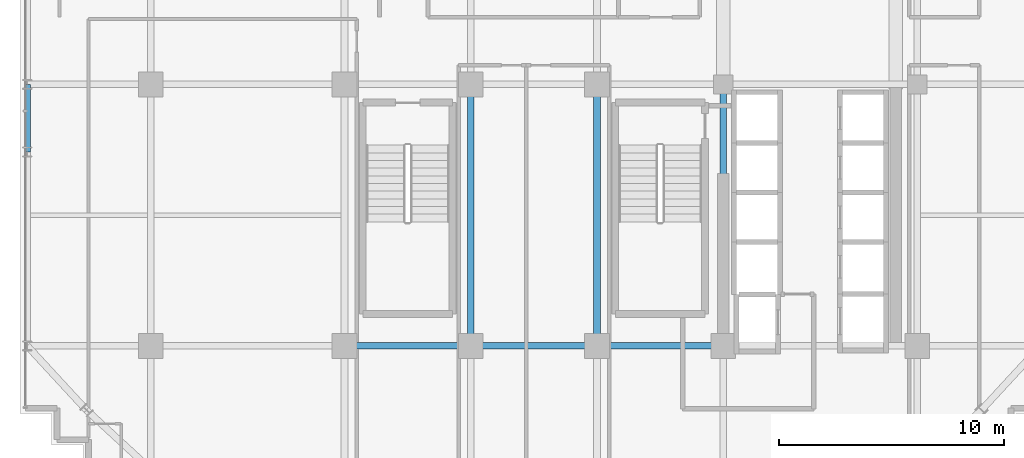
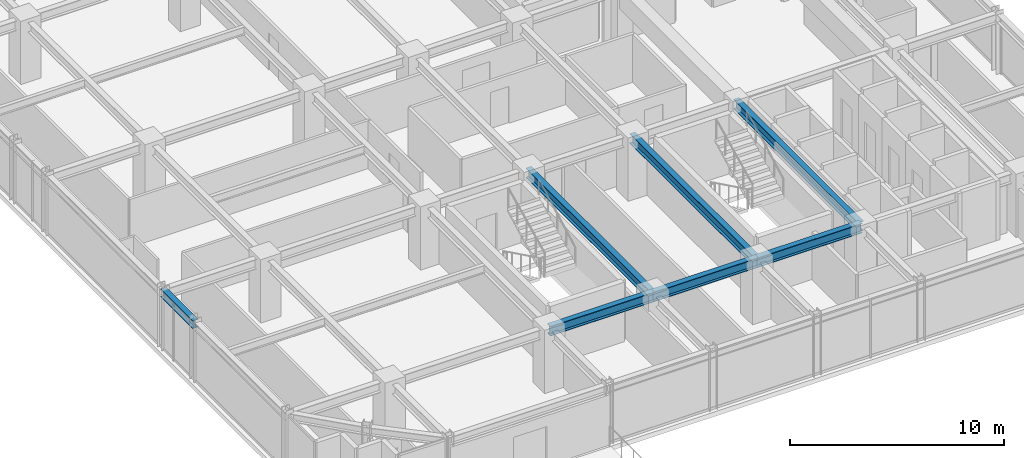
# One storey, part 6 of 31: 7 beams.
"""IFC4 building model written with IfcOpenShell, lengths in metres."""

import ifcopenshell
import ifcopenshell.guid

model = None  # the IFC model being written
_history = None  # IfcOwnerHistory: only IFC2X3 demands one
_inside = {}  # id of a spatial element -> (the spatial element, [elements in it])
_under = {}  # id of a project, library or spatial element -> (it, [spatial elements below it])
_declared = {}  # id of a project -> (the project, [libraries it declares])
_typed = {}  # id of a type object -> (the type object, [elements of that type])
_made_of = {}  # id of a material, layer set ... -> (it, [elements and type objects made of it])


def new_model(schema):
    """Start an empty IFC model of exactly this schema.

    Asked for "IFC4X3", IfcOpenShell would pick the latest addendum, in which some entities
    have other attributes; the version numbers below select the first issue.
    IFC2X3 requires an IfcOwnerHistory on every rooted entity: one is made here for all.
    """
    global model, _history
    if schema == "IFC4X3":
        model = ifcopenshell.file(schema_version=(4, 3, 0, 0))
    else:
        model = ifcopenshell.file(schema=schema)
    _inside.clear()
    _under.clear()
    _declared.clear()
    _typed.clear()
    _made_of.clear()
    _history = None
    if model.schema == "IFC2X3":
        org = make("IfcOrganization", Name="unknown")
        user = make(
            "IfcPersonAndOrganization",
            ThePerson=make("IfcPerson", FamilyName="unknown"),
            TheOrganization=org,
        )
        app = make(
            "IfcApplication",
            ApplicationDeveloper=org,
            Version="unknown",
            ApplicationFullName="unknown",
            ApplicationIdentifier="unknown",
        )
        _history = make(
            "IfcOwnerHistory",
            OwningUser=user,
            OwningApplication=app,
            ChangeAction="ADDED",
            CreationDate=0,
        )
    return model


def make(cls, **values):
    """One entity of the class cls with the attributes given. An attribute that is None is left unset."""
    return model.create_entity(
        cls, **{name: value for name, value in values.items() if value is not None}
    )


def rooted(cls, **values):
    """An entity with a GlobalId (a new one), such as an element, a storey or a relation."""
    return make(cls, GlobalId=ifcopenshell.guid.new(), OwnerHistory=_history, **values)


def si_unit(unit_type, name, prefix=None):
    """IfcSIUnit, for example si_unit("LENGTHUNIT", "METRE", prefix="MILLI")."""
    return make("IfcSIUnit", UnitType=unit_type, Prefix=prefix, Name=name)


def assignment(units):
    """IfcUnitAssignment: the units of a project."""
    return None if units is None else make("IfcUnitAssignment", Units=units)


def point(xyz):
    """IfcCartesianPoint."""
    return None if xyz is None else make("IfcCartesianPoint", Coordinates=xyz)


def direction(xyz):
    """IfcDirection."""
    return None if xyz is None else make("IfcDirection", DirectionRatios=xyz)


def frame(location, z_axis=None, x_axis=None):
    """IfcAxis2Placement3D, a coordinate frame: its origin and axes. An axis left out is left unset."""
    return make(
        "IfcAxis2Placement3D",
        Location=point(location),
        Axis=direction(z_axis),
        RefDirection=direction(x_axis),
    )


def frame_2d(location, x_axis=None):
    """IfcAxis2Placement2D, a coordinate frame in the plane: its origin and x axis."""
    return make(
        "IfcAxis2Placement2D", Location=point(location), RefDirection=direction(x_axis)
    )


def origin():
    """The frame at (0, 0, 0) with its axes left unset."""
    return frame((0.0, 0.0, 0.0))


def origin_2d():
    """The frame at (0, 0) in the plane with its x axis left unset."""
    return frame_2d((0.0, 0.0))


def place(relative_to, where):
    """IfcLocalPlacement: puts the frame where relative to a parent placement (None: the world)."""
    return make(
        "IfcLocalPlacement", PlacementRelTo=relative_to, RelativePlacement=where
    )


def context(
    kind, dimensions, precision=None, world=None, true_north=None, identifier=None
):
    """IfcGeometricRepresentationContext, for example the 3D "Model" context."""
    return make(
        "IfcGeometricRepresentationContext",
        ContextIdentifier=identifier,
        ContextType=kind,
        CoordinateSpaceDimension=dimensions,
        Precision=precision,
        WorldCoordinateSystem=world,
        TrueNorth=true_north,
    )


def subcontext(parent, identifier, kind, view, scale=None):
    """IfcGeometricRepresentationSubContext, for example "Body" below "Model"."""
    return make(
        "IfcGeometricRepresentationSubContext",
        ContextIdentifier=identifier,
        ContextType=kind,
        ParentContext=parent,
        TargetScale=scale,
        TargetView=view,
    )


def project(units=None, contexts=None):
    """IfcProject with its units and contexts."""
    return rooted(
        "IfcProject",
        Name="project",
        RepresentationContexts=contexts,
        UnitsInContext=assignment(units),
    )


def spatial(cls, under=None, at=None, **own):
    """A site, building, storey or space (cls), placed at a placement, below another one or the project."""
    s = rooted(cls, ObjectPlacement=at, **own)
    if under is not None:
        _under.setdefault(under.id(), (under, []))[1].append(s)
    return s


def profile(cls, at=None, kind="AREA", **sizes):
    """A parametric profile (cls). Its sizes go by their IFC names, for example OverallWidth=200.0."""
    return make(cls, ProfileType=kind, Position=at, **sizes)


def i_section(**sizes):
    """IfcIShapeProfileDef."""
    return profile("IfcIShapeProfileDef", **sizes)


def extrude(swept, where, along, depth):
    """IfcExtrudedAreaSolid: the profile swept, set in the frame where, extruded along a direction by depth."""
    return make(
        "IfcExtrudedAreaSolid",
        SweptArea=swept,
        Position=where,
        ExtrudedDirection=direction(along),
        Depth=depth,
    )


def shape(context_of_items, identifier, shape_type, items):
    """IfcShapeRepresentation: the items that make up one representation, for example the "Body"."""
    return make(
        "IfcShapeRepresentation",
        ContextOfItems=context_of_items,
        RepresentationIdentifier=identifier,
        RepresentationType=shape_type,
        Items=items,
    )


def source(mapping_origin, context_of_items, identifier, shape_type, items):
    """IfcRepresentationMap: a shape defined once, which mapped items show again and again."""
    return make(
        "IfcRepresentationMap",
        MappingOrigin=mapping_origin,
        MappedRepresentation=shape(context_of_items, identifier, shape_type, items),
    )


def transform(
    local_origin,
    x_axis=None,
    y_axis=None,
    z_axis=None,
    scale=None,
    scale2=None,
    scale3=None,
    uniform=True,
):
    """IfcCartesianTransformationOperator3D, or its non-uniform kind. x_axis, y_axis, z_axis: its Axis1, 2, 3."""
    if uniform:
        return make(
            "IfcCartesianTransformationOperator3D",
            Axis1=direction(x_axis),
            Axis2=direction(y_axis),
            LocalOrigin=point(local_origin),
            Scale=scale,
            Axis3=direction(z_axis),
        )
    return make(
        "IfcCartesianTransformationOperator3DnonUniform",
        Axis1=direction(x_axis),
        Axis2=direction(y_axis),
        LocalOrigin=point(local_origin),
        Scale=scale,
        Axis3=direction(z_axis),
        Scale2=scale2,
        Scale3=scale3,
    )


def mapped(mapping_source, mapping_target):
    """IfcMappedItem: shows the shape of a source again, moved by a transform."""
    return make(
        "IfcMappedItem", MappingSource=mapping_source, MappingTarget=mapping_target
    )


def material(Name=None, Category=None):
    """IfcMaterial."""
    return make("IfcMaterial", Name=Name, Category=Category)


def material_profile(
    of_material, cross_section, Name=None, Category=None, Priority=None
):
    """IfcMaterialProfile: a cross section and its material."""
    return make(
        "IfcMaterialProfile",
        Name=Name,
        Material=of_material,
        Profile=cross_section,
        Priority=Priority,
        Category=Category,
    )


def profile_set(profiles, Name=None, composite=None):
    """IfcMaterialProfileSet."""
    return make(
        "IfcMaterialProfileSet",
        Name=Name,
        MaterialProfiles=profiles,
        CompositeProfile=composite,
    )


def made_of(thing, what):
    """Note that an element or type object is made of a material, layer set ...; save() writes the relation."""
    if what is not None:
        _made_of.setdefault(what.id(), (what, []))[1].append(thing)
    return thing


def type_object(cls, material=None, **own):
    """A type object (cls), such as IfcWallType, which elements share."""
    return made_of(rooted(cls, **own), material)


def element(
    cls,
    number,
    at=None,
    inside=None,
    cuts=None,
    type_object=None,
    material=None,
    context=None,
    identifier="Body",
    shape_type=None,
    held_by="IfcProductDefinitionShape",
    body=None,
    shapes=None,
    **own,
):
    """One element of the class cls, such as IfcWall. Its Tag is "e" and its number.

    at: its placement. inside: the storey or other place that contains it. cuts: it is an
    opening in that element (IfcRelVoidsElement). A single representation is given by context,
    identifier, shape_type and body (its items); several are given by shapes. held_by: the class
    of the entity that holds the representations. save() writes the other relations.
    """
    e = rooted(cls, Tag="e%d" % number, ObjectPlacement=at, **own)
    if body is not None:
        shapes = [shape(context, identifier, shape_type, body)]
    if shapes is not None:
        e.Representation = make(held_by, Representations=shapes)
    if inside is not None:
        _inside.setdefault(inside.id(), (inside, []))[1].append(e)
    if cuts is not None:
        rooted(
            "IfcRelVoidsElement", RelatingBuildingElement=cuts, RelatedOpeningElement=e
        )
    if type_object is not None:
        _typed.setdefault(type_object.id(), (type_object, []))[1].append(e)
    return made_of(e, material)


def aggregate(whole, parts):
    """IfcRelAggregates: a whole, such as a stair, and the parts it consists of."""
    return rooted("IfcRelAggregates", RelatingObject=whole, RelatedObjects=parts)


def save(model, path):
    """Write the relations noted so far, then the file.

    IfcRelAggregates (storeys below a building ...), IfcRelContainedInSpatialStructure (elements
    in a storey), IfcRelDefinesByType, IfcRelAssociatesMaterial and IfcRelDeclares: one each for
    every whole, place, type object, material and project.
    """
    for whole, parts in _under.values():
        aggregate(whole, parts)
    for where, things in _inside.values():
        rooted(
            "IfcRelContainedInSpatialStructure",
            RelatedElements=things,
            RelatingStructure=where,
        )
    for kind, things in _typed.values():
        rooted("IfcRelDefinesByType", RelatedObjects=things, RelatingType=kind)
    for what, things in _made_of.values():
        rooted("IfcRelAssociatesMaterial", RelatedObjects=things, RelatingMaterial=what)
    for by, libraries in _declared.values():
        rooted("IfcRelDeclares", RelatingContext=by, RelatedDefinitions=libraries)
    model.write(path)


model = new_model("IFC4")

# Units and contexts
model_context = context("Model", 3, precision=1e-05, world=origin(), true_north=direction((0.0, 1.0)))
body_context = subcontext(model_context, "Body", "Model", "MODEL_VIEW")
ifc_project = project(units=[si_unit("LENGTHUNIT", "METRE"), si_unit("AREAUNIT", "SQUARE_METRE"), si_unit("VOLUMEUNIT", "CUBIC_METRE"), si_unit("PLANEANGLEUNIT", "RADIAN"), si_unit("MASSUNIT", "GRAM", prefix="KILO")], contexts=[model_context])

# Site, building, storey
site_placement = place(None, origin())
site = spatial("IfcSite", under=ifc_project, at=site_placement, CompositionType="ELEMENT")
building_placement = place(site_placement, origin())
building = spatial("IfcBuilding", under=site, at=building_placement, Name="Nahalor Promenade Grand Hotel", CompositionType="ELEMENT")
storey_placement = place(building_placement, frame((0.0, 0.0, 192.800048828125)))
storey = spatial("IfcBuildingStorey", under=building, at=storey_placement, Name="L49", CompositionType="ELEMENT", Elevation=192.800048828125)

# Beams
ifc_material = material(Name="Steel S355JR", Category="steel")
ifc_material_profile_1 = material_profile(ifc_material, i_section(OverallWidth=0.3, OverallDepth=0.55, WebThickness=0.015, FlangeThickness=0.029, at=origin_2d()), Name="HEB 550")
ifc_profile_set_1 = profile_set([ifc_material_profile_1], Name="Steel S355JR")
beam_type_1 = type_object("IfcBeamType", Name="Beam-Girder-HEB550", PredefinedType="BEAM", material=ifc_profile_set_1)
shared_shape_1 = source(origin(), body_context, "Body", "SweptSolid", [
    extrude(i_section(OverallWidth=0.3, OverallDepth=0.55, WebThickness=0.015, FlangeThickness=0.029, at=origin_2d()), origin(), (0.0, 0.0, 1.0), 5.599853515625),
])
for number, where, z_axis, x_axis, name in (
    (1, (-8.39990234375, -17.0, 3.114990234375), (1.0, 0.0, 0.0), (0.0, 1.0, 0.0), "BM-L49-GX-0-2"),
    (2, (2.800048828125, -17.0, 3.114990234375), (1.0, 0.0, 0.0), (0.0, 1.0, 0.0), "BM-L49-GX-0-4"),
):
    element("IfcBeam", number, at=place(storey_placement, frame(where, z_axis=z_axis, x_axis=x_axis)), inside=storey, type_object=beam_type_1, Name=name, PredefinedType="BEAM", context=body_context, shape_type="MappedRepresentation", body=[
        mapped(shared_shape_1, transform((0.0, 0.0, 0.0), scale=1.0)),
    ])
shared_shape_2 = source(origin(), body_context, "Body", "SweptSolid", [
    extrude(i_section(OverallWidth=0.3, OverallDepth=0.55, WebThickness=0.015, FlangeThickness=0.029, at=origin_2d()), origin(), (0.0, 0.0, 1.0), 5.60009765625),
])
beam_1_placement = place(storey_placement, frame((-2.800048828125, -17.0, 3.114990234375), z_axis=(1.0, 0.0, 0.0), x_axis=(0.0, 1.0, 0.0)))
element("IfcBeam", 3, at=beam_1_placement, inside=storey, type_object=beam_type_1, Name="BM-L49-GX-0-3", PredefinedType="BEAM", context=body_context, shape_type="MappedRepresentation", body=[
    mapped(shared_shape_2, transform((0.0, 0.0, 0.0), scale=1.0)),
])
shared_shape_3 = source(origin(), body_context, "Body", "SweptSolid", [
    extrude(i_section(OverallWidth=0.3, OverallDepth=0.55, WebThickness=0.015, FlangeThickness=0.029, at=origin_2d()), origin(), (0.0, 0.0, 1.0), 11.60009765625),
])
for number, where, z_axis, x_axis, name in (
    (4, (-2.800048828125, -17.0, 3.114990234375), (0.0, 1.0, 0.0), (-1.0, 0.0, 0.0), "BM-L49-GY-2-1"),
    (5, (2.800048828125, -17.0, 3.114990234375), (0.0, 1.0, 0.0), (-1.0, 0.0, 0.0), "BM-L49-GY-3-1"),
    (6, (8.39990234375, -17.0, 3.114990234375), (0.0, 1.0, 0.0), (-1.0, 0.0, 0.0), "BM-L49-GY-4-1"),
):
    element("IfcBeam", number, at=place(storey_placement, frame(where, z_axis=z_axis, x_axis=x_axis)), inside=storey, type_object=beam_type_1, Name=name, PredefinedType="BEAM", context=body_context, shape_type="MappedRepresentation", body=[
        mapped(shared_shape_3, transform((0.0, 0.0, 0.0), scale=1.0)),
    ])
ifc_material_profile_2 = material_profile(ifc_material, i_section(OverallWidth=0.3, OverallDepth=0.45, WebThickness=0.014, FlangeThickness=0.026, at=origin_2d()), Name="HEB 450")
ifc_profile_set_2 = profile_set([ifc_material_profile_2], Name="Steel S355JR")
beam_type_2 = type_object("IfcBeamType", Name="Beam-Spandrel-HEB450", PredefinedType="SPANDREL", material=ifc_profile_set_2)
shared_shape_4 = source(origin(), body_context, "Body", "SweptSolid", [
    extrude(i_section(OverallWidth=0.3, OverallDepth=0.45, WebThickness=0.014, FlangeThickness=0.026, at=origin_2d()), origin(), (0.0, 0.0, 1.0), 3.0),
])
beam_2_placement = place(storey_placement, frame((-22.47998046875, -8.39990234375, 3.1650390625), z_axis=(0.0, 1.0, 0.0), x_axis=(-1.0, 0.0, 0.0)))
element("IfcBeam", 7, at=beam_2_placement, inside=storey, type_object=beam_type_2, Name="BM-L49-SP-W-1", PredefinedType="SPANDREL", context=body_context, shape_type="MappedRepresentation", body=[
    mapped(shared_shape_4, transform((0.0, 0.0, 0.0), scale=1.0)),
])

save(model, "model.ifc")
